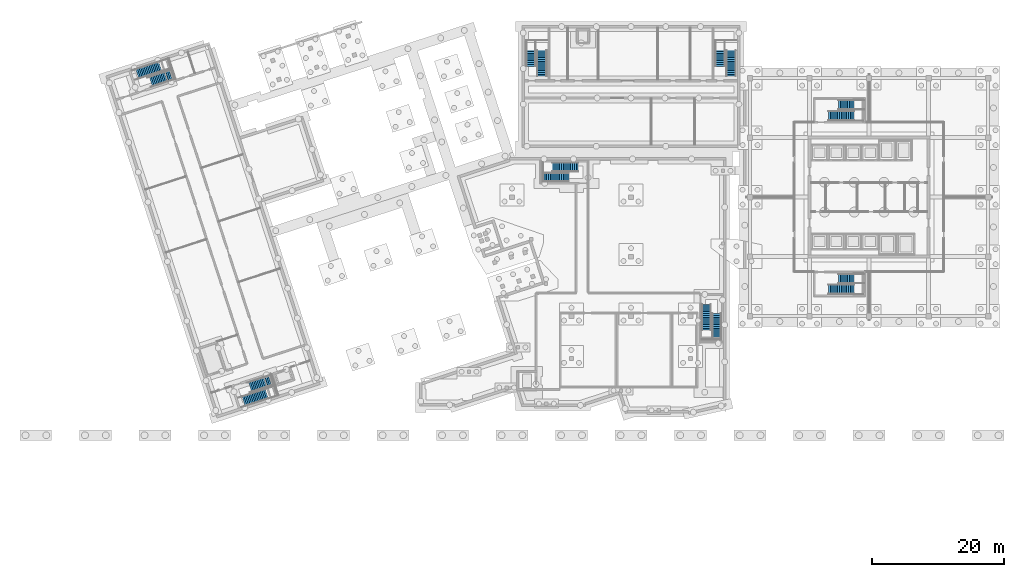
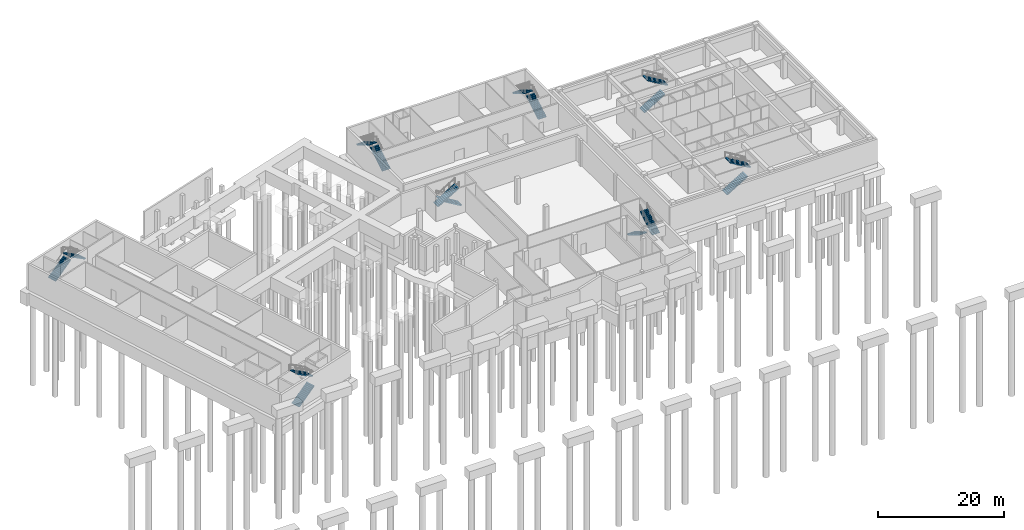
# One storey, part 14 of 17: 16 stair flights, 8 elements without a shape of their own.
"""IFC4 building model written with IfcOpenShell, lengths in metres."""

from ifc_helpers import new_model, si_unit, direction, frame, origin, place, context, subcontext, project, spatial, polyline, outline, extrude, material, type_object, element, aggregate, save


model = new_model("IFC4")

# Units and contexts
model_context = context("Model", 3, precision=1e-05, world=origin(), true_north=direction((0.0, 1.0)))
body_context = subcontext(model_context, "Body", "Model", "MODEL_VIEW")
ifc_project = project(units=[si_unit("LENGTHUNIT", "METRE"), si_unit("AREAUNIT", "SQUARE_METRE"), si_unit("VOLUMEUNIT", "CUBIC_METRE"), si_unit("PLANEANGLEUNIT", "RADIAN"), si_unit("MASSUNIT", "GRAM", prefix="KILO")], contexts=[model_context])

# Site, building, storey
site_placement = place(None, origin())
site = spatial("IfcSite", under=ifc_project, at=site_placement, CompositionType="ELEMENT")
building_placement = place(site_placement, origin())
building = spatial("IfcBuilding", under=site, at=building_placement, Name="Tuart Plaza Theatre", CompositionType="ELEMENT")
storey_placement = place(building_placement, frame((0.0, 0.0, -10.0)))
storey = spatial("IfcBuildingStorey", under=building, at=storey_placement, Name="B2", CompositionType="ELEMENT", Elevation=-10.0)

# Stair, stair flights
ifc_material_1 = material(Name="Concrete N40 (40 MPa)", Category="concrete")
stair_type_1 = type_object("IfcStairType", Name="STAIR half turn 1600", PredefinedType="HALF_TURN_STAIR", material=ifc_material_1)
stair_1_placement = place(storey_placement, origin())
stair_1 = element("IfcStair", 1, at=stair_1_placement, inside=storey, type_object=stair_type_1, Name="SA-1", PredefinedType="HALF_TURN_STAIR")
ifc_material_2 = material(Name="Concrete N40 (40 MPa)", Category="concrete")
stair_flight_type_1 = type_object("IfcStairFlightType", Name="STAIR FLIGHT 166.7 260 1600", PredefinedType="STRAIGHT", material=ifc_material_2)
stair_flight_1_placement = place(storey_placement, frame((37.430419921875, 43.14697265625, 0.0), z_axis=(0.0, 0.0, 1.0), x_axis=(0.951056516295, 0.309016994375, 0.0)))
stair_flight_1 = element("IfcStairFlight", 2, at=stair_flight_1_placement, type_object=stair_flight_type_1, Name="SA-1 flight 1", NumberOfRisers=15, NumberOfTreads=14, PredefinedType="STRAIGHT", RiserHeight=0.166666667, TreadLength=0.26, context=body_context, shape_type="SweptSolid", body=[
    extrude(outline(polyline([(0.0, 0.0), (0.0, 0.166748046875), (0.260009765625, 0.166748046875), (0.260009765625, 0.333251953125), (0.52001953125, 0.333251953125), (0.52001953125, 0.5), (0.780029296875, 0.5), (0.780029296875, 0.666748046875), (1.0400390625, 0.666748046875), (1.0400390625, 0.833251953125), (1.300048828125, 0.833251953125), (1.300048828125, 1.0), (1.56005859375, 1.0), (1.56005859375, 1.166748046875), (1.820068359375, 1.166748046875), (1.820068359375, 1.333251953125), (2.080078125, 1.333251953125), (2.080078125, 1.5), (2.340087890625, 1.5), (2.340087890625, 1.666748046875), (2.60009765625, 1.666748046875), (2.60009765625, 1.833251953125), (2.860107421875, 1.833251953125), (2.860107421875, 2.0), (3.1201171875, 2.0), (3.1201171875, 2.166748046875), (3.3798828125, 2.166748046875), (3.3798828125, 2.333251953125), (3.639892578125, 2.333251953125), (3.639892578125, 2.5), (3.639892578125, 2.1552734375), (0.27783203125, 0.0), (0.0, 0.0)])), frame((0.0, 0.800048828125, 0.0), z_axis=(0.0, -1.0, 0.0), x_axis=(1.0, 0.0, 0.0)), (0.0, 0.0, 1.0), 1.60009765625),
])
stair_flight_2_placement = place(storey_placement, frame((41.873046875, 46.430419921875, 2.5), z_axis=(0.0, 0.0, 1.0), x_axis=(-0.951056516295, -0.309016994375, 0.0)))
stair_flight_2 = element("IfcStairFlight", 3, at=stair_flight_2_placement, type_object=stair_flight_type_1, Name="SA-1 flight 2", NumberOfRisers=15, NumberOfTreads=14, PredefinedType="STRAIGHT", RiserHeight=0.166666667, TreadLength=0.26, context=body_context, shape_type="SweptSolid", body=[
    extrude(outline(polyline([(0.0, 0.0), (0.0, 0.166748046875), (0.260009765625, 0.166748046875), (0.260009765625, 0.333251953125), (0.52001953125, 0.333251953125), (0.52001953125, 0.5), (0.780029296875, 0.5), (0.780029296875, 0.666748046875), (1.0400390625, 0.666748046875), (1.0400390625, 0.833251953125), (1.300048828125, 0.833251953125), (1.300048828125, 1.0), (1.56005859375, 1.0), (1.56005859375, 1.166748046875), (1.820068359375, 1.166748046875), (1.820068359375, 1.333251953125), (2.080078125, 1.333251953125), (2.080078125, 1.5), (2.340087890625, 1.5), (2.340087890625, 1.666748046875), (2.60009765625, 1.666748046875), (2.60009765625, 1.833251953125), (2.860107421875, 1.833251953125), (2.860107421875, 2.0), (3.1201171875, 2.0), (3.1201171875, 2.166748046875), (3.3798828125, 2.166748046875), (3.3798828125, 2.333251953125), (3.639892578125, 2.333251953125), (3.639892578125, 2.5), (3.639892578125, 2.1552734375), (0.27783203125, 0.0), (0.0, 0.0)])), frame((0.0, 0.800048828125, 0.0), z_axis=(0.0, -1.0, 0.0), x_axis=(1.0, 0.0, 0.0)), (0.0, 0.0, 1.0), 1.60009765625),
])
aggregate(stair_1, [stair_flight_1, stair_flight_2])

stair_2_placement = place(storey_placement, origin())
stair_2 = element("IfcStair", 4, at=stair_2_placement, inside=storey, type_object=stair_type_1, Name="SA-2", PredefinedType="HALF_TURN_STAIR")
stair_flight_3_placement = place(storey_placement, frame((21.345947265625, 92.6494140625, 0.0), z_axis=(0.0, 0.0, 1.0), x_axis=(0.951056516295, 0.309016994375, 0.0)))
stair_flight_3 = element("IfcStairFlight", 5, at=stair_flight_3_placement, type_object=stair_flight_type_1, Name="SA-2 flight 1", NumberOfRisers=15, NumberOfTreads=14, PredefinedType="STRAIGHT", RiserHeight=0.166666667, TreadLength=0.26, context=body_context, shape_type="SweptSolid", body=[
    extrude(outline(polyline([(0.0, 0.0), (0.0, 0.166748046875), (0.260009765625, 0.166748046875), (0.260009765625, 0.333251953125), (0.52001953125, 0.333251953125), (0.52001953125, 0.5), (0.780029296875, 0.5), (0.780029296875, 0.666748046875), (1.0400390625, 0.666748046875), (1.0400390625, 0.833251953125), (1.300048828125, 0.833251953125), (1.300048828125, 1.0), (1.56005859375, 1.0), (1.56005859375, 1.166748046875), (1.820068359375, 1.166748046875), (1.820068359375, 1.333251953125), (2.080078125, 1.333251953125), (2.080078125, 1.5), (2.340087890625, 1.5), (2.340087890625, 1.666748046875), (2.60009765625, 1.666748046875), (2.60009765625, 1.833251953125), (2.860107421875, 1.833251953125), (2.860107421875, 2.0), (3.1201171875, 2.0), (3.1201171875, 2.166748046875), (3.3798828125, 2.166748046875), (3.3798828125, 2.333251953125), (3.639892578125, 2.333251953125), (3.639892578125, 2.5), (3.639892578125, 2.1552734375), (0.27783203125, 0.0), (0.0, 0.0)])), frame((0.0, 0.800048828125, 0.0), z_axis=(0.0, -1.0, 0.0), x_axis=(1.0, 0.0, 0.0)), (0.0, 0.0, 1.0), 1.60009765625),
])
stair_flight_4_placement = place(storey_placement, frame((26.870361328125, 92.604248046875, 2.5), z_axis=(0.0, 0.0, 1.0), x_axis=(-0.951056516295, -0.309016994375, 0.0)))
stair_flight_4 = element("IfcStairFlight", 6, at=stair_flight_4_placement, type_object=stair_flight_type_1, Name="SA-2 flight 2", NumberOfRisers=15, NumberOfTreads=14, PredefinedType="STRAIGHT", RiserHeight=0.166666667, TreadLength=0.26, context=body_context, shape_type="SweptSolid", body=[
    extrude(outline(polyline([(0.0, 0.0), (0.0, 0.166748046875), (0.260009765625, 0.166748046875), (0.260009765625, 0.333251953125), (0.52001953125, 0.333251953125), (0.52001953125, 0.5), (0.780029296875, 0.5), (0.780029296875, 0.666748046875), (1.0400390625, 0.666748046875), (1.0400390625, 0.833251953125), (1.300048828125, 0.833251953125), (1.300048828125, 1.0), (1.56005859375, 1.0), (1.56005859375, 1.166748046875), (1.820068359375, 1.166748046875), (1.820068359375, 1.333251953125), (2.080078125, 1.333251953125), (2.080078125, 1.5), (2.340087890625, 1.5), (2.340087890625, 1.666748046875), (2.60009765625, 1.666748046875), (2.60009765625, 1.833251953125), (2.860107421875, 1.833251953125), (2.860107421875, 2.0), (3.1201171875, 2.0), (3.1201171875, 2.166748046875), (3.3798828125, 2.166748046875), (3.3798828125, 2.333251953125), (3.639892578125, 2.333251953125), (3.639892578125, 2.5), (3.639892578125, 2.1552734375), (0.27783203125, 0.0), (0.0, 0.0)])), frame((0.0, 0.800048828125, 0.0), z_axis=(0.0, -1.0, 0.0), x_axis=(1.0, 0.0, 0.0)), (0.0, 0.0, 1.0), 1.60009765625),
])
aggregate(stair_2, [stair_flight_3, stair_flight_4])

ifc_material_3 = material(Name="Concrete N40 (40 MPa)", Category="concrete")
stair_type_2 = type_object("IfcStairType", Name="STAIR half turn 1500", PredefinedType="HALF_TURN_STAIR", material=ifc_material_3)
stair_3_placement = place(storey_placement, origin())
stair_3 = element("IfcStair", 7, at=stair_3_placement, inside=storey, type_object=stair_type_2, Name="SC-19", PredefinedType="HALF_TURN_STAIR")
ifc_material_4 = material(Name="Concrete N40 (40 MPa)", Category="concrete")
stair_flight_type_2 = type_object("IfcStairFlightType", Name="STAIR FLIGHT 166.7 275 1500", PredefinedType="STRAIGHT", material=ifc_material_4)
stair_flight_5_placement = place(storey_placement, frame((125.8701171875, 60.050048828125, 0.0), z_axis=(0.0, 0.0, 1.0), x_axis=(1.0, 0.0, 0.0)))
stair_flight_5 = element("IfcStairFlight", 8, at=stair_flight_5_placement, type_object=stair_flight_type_2, Name="SC-19 flight 1", NumberOfRisers=15, NumberOfTreads=14, PredefinedType="STRAIGHT", RiserHeight=0.166666667, TreadLength=0.275, context=body_context, shape_type="SweptSolid", body=[
    extrude(outline(polyline([(0.0, 0.0), (0.0, 0.166748046875), (0.27490234375, 0.166748046875), (0.27490234375, 0.333251953125), (0.550048828125, 0.333251953125), (0.550048828125, 0.5), (0.824951171875, 0.5), (0.824951171875, 0.666748046875), (1.10009765625, 0.666748046875), (1.10009765625, 0.833251953125), (1.375, 0.833251953125), (1.375, 1.0), (1.64990234375, 1.0), (1.64990234375, 1.166748046875), (1.925048828125, 1.166748046875), (1.925048828125, 1.333251953125), (2.199951171875, 1.333251953125), (2.199951171875, 1.5), (2.47509765625, 1.5), (2.47509765625, 1.666748046875), (2.75, 1.666748046875), (2.75, 1.833251953125), (3.02490234375, 1.833251953125), (3.02490234375, 2.0), (3.300048828125, 2.0), (3.300048828125, 2.166748046875), (3.574951171875, 2.166748046875), (3.574951171875, 2.333251953125), (3.85009765625, 2.333251953125), (3.85009765625, 2.5), (3.85009765625, 2.157958984375), (0.289306640625, 0.0), (0.0, 0.0)])), frame((0.0, 0.75, 0.0), z_axis=(0.0, -1.0, 0.0), x_axis=(1.0, 0.0, 0.0)), (0.0, 0.0, 1.0), 1.5),
])
stair_flight_6_placement = place(storey_placement, frame((131.219970703125, 61.699951171875, 2.5), z_axis=(0.0, 0.0, 1.0), x_axis=(-1.0, 0.0, 0.0)))
stair_flight_6 = element("IfcStairFlight", 9, at=stair_flight_6_placement, type_object=stair_flight_type_2, Name="SC-19 flight 2", NumberOfRisers=15, NumberOfTreads=14, PredefinedType="STRAIGHT", RiserHeight=0.166666667, TreadLength=0.275, context=body_context, shape_type="SweptSolid", body=[
    extrude(outline(polyline([(0.0, 0.0), (0.0, 0.166748046875), (0.27490234375, 0.166748046875), (0.27490234375, 0.333251953125), (0.550048828125, 0.333251953125), (0.550048828125, 0.5), (0.824951171875, 0.5), (0.824951171875, 0.666748046875), (1.10009765625, 0.666748046875), (1.10009765625, 0.833251953125), (1.375, 0.833251953125), (1.375, 1.0), (1.64990234375, 1.0), (1.64990234375, 1.166748046875), (1.925048828125, 1.166748046875), (1.925048828125, 1.333251953125), (2.199951171875, 1.333251953125), (2.199951171875, 1.5), (2.47509765625, 1.5), (2.47509765625, 1.666748046875), (2.75, 1.666748046875), (2.75, 1.833251953125), (3.02490234375, 1.833251953125), (3.02490234375, 2.0), (3.300048828125, 2.0), (3.300048828125, 2.166748046875), (3.574951171875, 2.166748046875), (3.574951171875, 2.333251953125), (3.85009765625, 2.333251953125), (3.85009765625, 2.5), (3.85009765625, 2.157958984375), (0.289306640625, 0.0), (0.0, 0.0)])), frame((0.0, 0.75, 0.0), z_axis=(0.0, -1.0, 0.0), x_axis=(1.0, 0.0, 0.0)), (0.0, 0.0, 1.0), 1.5),
])
aggregate(stair_3, [stair_flight_5, stair_flight_6])

stair_4_placement = place(storey_placement, origin())
stair_4 = element("IfcStair", 10, at=stair_4_placement, inside=storey, type_object=stair_type_2, Name="SC-21", PredefinedType="HALF_TURN_STAIR")
stair_flight_7_placement = place(storey_placement, frame((125.8701171875, 86.300048828125, 0.0), z_axis=(0.0, 0.0, 1.0), x_axis=(1.0, 0.0, 0.0)))
stair_flight_7 = element("IfcStairFlight", 11, at=stair_flight_7_placement, type_object=stair_flight_type_2, Name="SC-21 flight 1", NumberOfRisers=15, NumberOfTreads=14, PredefinedType="STRAIGHT", RiserHeight=0.166666667, TreadLength=0.275, context=body_context, shape_type="SweptSolid", body=[
    extrude(outline(polyline([(0.0, 0.0), (0.0, 0.166748046875), (0.27490234375, 0.166748046875), (0.27490234375, 0.333251953125), (0.550048828125, 0.333251953125), (0.550048828125, 0.5), (0.824951171875, 0.5), (0.824951171875, 0.666748046875), (1.10009765625, 0.666748046875), (1.10009765625, 0.833251953125), (1.375, 0.833251953125), (1.375, 1.0), (1.64990234375, 1.0), (1.64990234375, 1.166748046875), (1.925048828125, 1.166748046875), (1.925048828125, 1.333251953125), (2.199951171875, 1.333251953125), (2.199951171875, 1.5), (2.47509765625, 1.5), (2.47509765625, 1.666748046875), (2.75, 1.666748046875), (2.75, 1.833251953125), (3.02490234375, 1.833251953125), (3.02490234375, 2.0), (3.300048828125, 2.0), (3.300048828125, 2.166748046875), (3.574951171875, 2.166748046875), (3.574951171875, 2.333251953125), (3.85009765625, 2.333251953125), (3.85009765625, 2.5), (3.85009765625, 2.157958984375), (0.289306640625, 0.0), (0.0, 0.0)])), frame((0.0, 0.75, 0.0), z_axis=(0.0, -1.0, 0.0), x_axis=(1.0, 0.0, 0.0)), (0.0, 0.0, 1.0), 1.5),
])
stair_flight_8_placement = place(storey_placement, frame((131.219970703125, 87.949951171875, 2.5), z_axis=(0.0, 0.0, 1.0), x_axis=(-1.0, 0.0, 0.0)))
stair_flight_8 = element("IfcStairFlight", 12, at=stair_flight_8_placement, type_object=stair_flight_type_2, Name="SC-21 flight 2", NumberOfRisers=15, NumberOfTreads=14, PredefinedType="STRAIGHT", RiserHeight=0.166666667, TreadLength=0.275, context=body_context, shape_type="SweptSolid", body=[
    extrude(outline(polyline([(0.0, 0.0), (0.0, 0.166748046875), (0.27490234375, 0.166748046875), (0.27490234375, 0.333251953125), (0.550048828125, 0.333251953125), (0.550048828125, 0.5), (0.824951171875, 0.5), (0.824951171875, 0.666748046875), (1.10009765625, 0.666748046875), (1.10009765625, 0.833251953125), (1.375, 0.833251953125), (1.375, 1.0), (1.64990234375, 1.0), (1.64990234375, 1.166748046875), (1.925048828125, 1.166748046875), (1.925048828125, 1.333251953125), (2.199951171875, 1.333251953125), (2.199951171875, 1.5), (2.47509765625, 1.5), (2.47509765625, 1.666748046875), (2.75, 1.666748046875), (2.75, 1.833251953125), (3.02490234375, 1.833251953125), (3.02490234375, 2.0), (3.300048828125, 2.0), (3.300048828125, 2.166748046875), (3.574951171875, 2.166748046875), (3.574951171875, 2.333251953125), (3.85009765625, 2.333251953125), (3.85009765625, 2.5), (3.85009765625, 2.157958984375), (0.289306640625, 0.0), (0.0, 0.0)])), frame((0.0, 0.75, 0.0), z_axis=(0.0, -1.0, 0.0), x_axis=(1.0, 0.0, 0.0)), (0.0, 0.0, 1.0), 1.5),
])
aggregate(stair_4, [stair_flight_7, stair_flight_8])

ifc_material_5 = material(Name="Concrete N40 (40 MPa)", Category="concrete")
stair_type_3 = type_object("IfcStairType", Name="STAIR half turn 1400", PredefinedType="HALF_TURN_STAIR", material=ifc_material_5)
stair_5_placement = place(storey_placement, origin())
stair_5 = element("IfcStair", 13, at=stair_5_placement, inside=storey, type_object=stair_type_3, Name="SB-11", PredefinedType="HALF_TURN_STAIR")
ifc_material_6 = material(Name="Concrete N40 (40 MPa)", Category="concrete")
stair_flight_type_3 = type_object("IfcStairFlightType", Name="STAIR FLIGHT 166.7 280 1400", PredefinedType="STRAIGHT", material=ifc_material_6)
stair_flight_9_placement = place(storey_placement, frame((107.39990234375, 57.800048828125, 0.0), z_axis=(0.0, 0.0, 1.0), x_axis=(0.0, -1.0, 0.0)))
stair_flight_9 = element("IfcStairFlight", 14, at=stair_flight_9_placement, type_object=stair_flight_type_3, Name="SB-11 flight 1", NumberOfRisers=15, NumberOfTreads=14, PredefinedType="STRAIGHT", RiserHeight=0.166666667, TreadLength=0.28, context=body_context, shape_type="SweptSolid", body=[
    extrude(outline(polyline([(0.0, 0.0), (0.0, 0.166748046875), (0.280029296875, 0.166748046875), (0.280029296875, 0.333251953125), (0.56005859375, 0.333251953125), (0.56005859375, 0.5), (0.840087890625, 0.5), (0.840087890625, 0.666748046875), (1.1201171875, 0.666748046875), (1.1201171875, 0.833251953125), (1.39990234375, 0.833251953125), (1.39990234375, 1.0), (1.679931640625, 1.0), (1.679931640625, 1.166748046875), (1.9599609375, 1.166748046875), (1.9599609375, 1.333251953125), (2.239990234375, 1.333251953125), (2.239990234375, 1.5), (2.52001953125, 1.5), (2.52001953125, 1.666748046875), (2.800048828125, 1.666748046875), (2.800048828125, 1.833251953125), (3.080078125, 1.833251953125), (3.080078125, 2.0), (3.360107421875, 2.0), (3.360107421875, 2.166748046875), (3.639892578125, 2.166748046875), (3.639892578125, 2.333251953125), (3.919921875, 2.333251953125), (3.919921875, 2.5), (3.919921875, 2.158935546875), (0.29296875, 0.0), (0.0, 0.0)])), frame((0.0, 0.699951171875, 0.0), z_axis=(0.0, -1.0, 0.0), x_axis=(1.0, 0.0, 0.0)), (0.0, 0.0, 1.0), 1.39990234375),
])
stair_flight_10_placement = place(storey_placement, frame((108.949951171875, 52.47998046875, 2.5), z_axis=(0.0, 0.0, 1.0), x_axis=(0.0, 1.0, 0.0)))
stair_flight_10 = element("IfcStairFlight", 15, at=stair_flight_10_placement, type_object=stair_flight_type_3, Name="SB-11 flight 2", NumberOfRisers=15, NumberOfTreads=14, PredefinedType="STRAIGHT", RiserHeight=0.166666667, TreadLength=0.28, context=body_context, shape_type="SweptSolid", body=[
    extrude(outline(polyline([(0.0, 0.0), (0.0, 0.166748046875), (0.280029296875, 0.166748046875), (0.280029296875, 0.333251953125), (0.56005859375, 0.333251953125), (0.56005859375, 0.5), (0.840087890625, 0.5), (0.840087890625, 0.666748046875), (1.1201171875, 0.666748046875), (1.1201171875, 0.833251953125), (1.39990234375, 0.833251953125), (1.39990234375, 1.0), (1.679931640625, 1.0), (1.679931640625, 1.166748046875), (1.9599609375, 1.166748046875), (1.9599609375, 1.333251953125), (2.239990234375, 1.333251953125), (2.239990234375, 1.5), (2.52001953125, 1.5), (2.52001953125, 1.666748046875), (2.800048828125, 1.666748046875), (2.800048828125, 1.833251953125), (3.080078125, 1.833251953125), (3.080078125, 2.0), (3.360107421875, 2.0), (3.360107421875, 2.166748046875), (3.639892578125, 2.166748046875), (3.639892578125, 2.333251953125), (3.919921875, 2.333251953125), (3.919921875, 2.5), (3.919921875, 2.158935546875), (0.29296875, 0.0), (0.0, 0.0)])), frame((0.0, 0.699951171875, 0.0), z_axis=(0.0, -1.0, 0.0), x_axis=(1.0, 0.0, 0.0)), (0.0, 0.0, 1.0), 1.39990234375),
])
aggregate(stair_5, [stair_flight_9, stair_flight_10])

stair_6_placement = place(storey_placement, origin())
stair_6 = element("IfcStair", 16, at=stair_6_placement, inside=storey, type_object=stair_type_3, Name="SB-13", PredefinedType="HALF_TURN_STAIR")
stair_flight_11_placement = place(storey_placement, frame((88.0, 78.550048828125, 0.0), z_axis=(0.0, 0.0, 1.0), x_axis=(-1.0, 0.0, 0.0)))
stair_flight_11 = element("IfcStairFlight", 17, at=stair_flight_11_placement, type_object=stair_flight_type_3, Name="SB-13 flight 1", NumberOfRisers=15, NumberOfTreads=14, PredefinedType="STRAIGHT", RiserHeight=0.166666667, TreadLength=0.28, context=body_context, shape_type="SweptSolid", body=[
    extrude(outline(polyline([(0.0, 0.0), (0.0, 0.166748046875), (0.280029296875, 0.166748046875), (0.280029296875, 0.333251953125), (0.56005859375, 0.333251953125), (0.56005859375, 0.5), (0.840087890625, 0.5), (0.840087890625, 0.666748046875), (1.1201171875, 0.666748046875), (1.1201171875, 0.833251953125), (1.39990234375, 0.833251953125), (1.39990234375, 1.0), (1.679931640625, 1.0), (1.679931640625, 1.166748046875), (1.9599609375, 1.166748046875), (1.9599609375, 1.333251953125), (2.239990234375, 1.333251953125), (2.239990234375, 1.5), (2.52001953125, 1.5), (2.52001953125, 1.666748046875), (2.800048828125, 1.666748046875), (2.800048828125, 1.833251953125), (3.080078125, 1.833251953125), (3.080078125, 2.0), (3.360107421875, 2.0), (3.360107421875, 2.166748046875), (3.639892578125, 2.166748046875), (3.639892578125, 2.333251953125), (3.919921875, 2.333251953125), (3.919921875, 2.5), (3.919921875, 2.158935546875), (0.29296875, 0.0), (0.0, 0.0)])), frame((0.0, 0.699951171875, 0.0), z_axis=(0.0, -1.0, 0.0), x_axis=(1.0, 0.0, 0.0)), (0.0, 0.0, 1.0), 1.39990234375),
])
stair_flight_12_placement = place(storey_placement, frame((82.679931640625, 77.0, 2.5), z_axis=(0.0, 0.0, 1.0), x_axis=(1.0, 0.0, 0.0)))
stair_flight_12 = element("IfcStairFlight", 18, at=stair_flight_12_placement, type_object=stair_flight_type_3, Name="SB-13 flight 2", NumberOfRisers=15, NumberOfTreads=14, PredefinedType="STRAIGHT", RiserHeight=0.166666667, TreadLength=0.28, context=body_context, shape_type="SweptSolid", body=[
    extrude(outline(polyline([(0.0, 0.0), (0.0, 0.166748046875), (0.280029296875, 0.166748046875), (0.280029296875, 0.333251953125), (0.56005859375, 0.333251953125), (0.56005859375, 0.5), (0.840087890625, 0.5), (0.840087890625, 0.666748046875), (1.1201171875, 0.666748046875), (1.1201171875, 0.833251953125), (1.39990234375, 0.833251953125), (1.39990234375, 1.0), (1.679931640625, 1.0), (1.679931640625, 1.166748046875), (1.9599609375, 1.166748046875), (1.9599609375, 1.333251953125), (2.239990234375, 1.333251953125), (2.239990234375, 1.5), (2.52001953125, 1.5), (2.52001953125, 1.666748046875), (2.800048828125, 1.666748046875), (2.800048828125, 1.833251953125), (3.080078125, 1.833251953125), (3.080078125, 2.0), (3.360107421875, 2.0), (3.360107421875, 2.166748046875), (3.639892578125, 2.166748046875), (3.639892578125, 2.333251953125), (3.919921875, 2.333251953125), (3.919921875, 2.5), (3.919921875, 2.158935546875), (0.29296875, 0.0), (0.0, 0.0)])), frame((0.0, 0.699951171875, 0.0), z_axis=(0.0, -1.0, 0.0), x_axis=(1.0, 0.0, 0.0)), (0.0, 0.0, 1.0), 1.39990234375),
])
aggregate(stair_6, [stair_flight_11, stair_flight_12])

stair_7_placement = place(storey_placement, origin())
stair_7 = element("IfcStair", 19, at=stair_7_placement, inside=storey, type_object=stair_type_2, Name="SD-1", PredefinedType="HALF_TURN_STAIR")
ifc_material_7 = material(Name="Concrete N40 (40 MPa)", Category="concrete")
stair_flight_type_4 = type_object("IfcStairFlightType", Name="STAIR FLIGHT 166.7 280 1500", PredefinedType="STRAIGHT", material=ifc_material_7)
stair_flight_13_placement = place(storey_placement, frame((82.52490234375, 92.300048828125, 0.0), z_axis=(0.0, 0.0, 1.0), x_axis=(0.0, 1.0, 0.0)))
stair_flight_13 = element("IfcStairFlight", 20, at=stair_flight_13_placement, type_object=stair_flight_type_4, Name="SD-1 flight 1", NumberOfRisers=15, NumberOfTreads=14, PredefinedType="STRAIGHT", RiserHeight=0.166666667, TreadLength=0.28, context=body_context, shape_type="SweptSolid", body=[
    extrude(outline(polyline([(0.0, 0.0), (0.0, 0.166748046875), (0.280029296875, 0.166748046875), (0.280029296875, 0.333251953125), (0.56005859375, 0.333251953125), (0.56005859375, 0.5), (0.840087890625, 0.5), (0.840087890625, 0.666748046875), (1.1201171875, 0.666748046875), (1.1201171875, 0.833251953125), (1.39990234375, 0.833251953125), (1.39990234375, 1.0), (1.679931640625, 1.0), (1.679931640625, 1.166748046875), (1.9599609375, 1.166748046875), (1.9599609375, 1.333251953125), (2.239990234375, 1.333251953125), (2.239990234375, 1.5), (2.52001953125, 1.5), (2.52001953125, 1.666748046875), (2.800048828125, 1.666748046875), (2.800048828125, 1.833251953125), (3.080078125, 1.833251953125), (3.080078125, 2.0), (3.360107421875, 2.0), (3.360107421875, 2.166748046875), (3.639892578125, 2.166748046875), (3.639892578125, 2.333251953125), (3.919921875, 2.333251953125), (3.919921875, 2.5), (3.919921875, 2.158935546875), (0.29296875, 0.0), (0.0, 0.0)])), frame((0.0, 0.75, 0.0), z_axis=(0.0, -1.0, 0.0), x_axis=(1.0, 0.0, 0.0)), (0.0, 0.0, 1.0), 1.5),
])
stair_flight_14_placement = place(storey_placement, frame((80.875, 97.719970703125, 2.5), z_axis=(0.0, 0.0, 1.0), x_axis=(0.0, -1.0, 0.0)))
stair_flight_14 = element("IfcStairFlight", 21, at=stair_flight_14_placement, type_object=stair_flight_type_4, Name="SD-1 flight 2", NumberOfRisers=15, NumberOfTreads=14, PredefinedType="STRAIGHT", RiserHeight=0.166666667, TreadLength=0.28, context=body_context, shape_type="SweptSolid", body=[
    extrude(outline(polyline([(0.0, 0.0), (0.0, 0.166748046875), (0.280029296875, 0.166748046875), (0.280029296875, 0.333251953125), (0.56005859375, 0.333251953125), (0.56005859375, 0.5), (0.840087890625, 0.5), (0.840087890625, 0.666748046875), (1.1201171875, 0.666748046875), (1.1201171875, 0.833251953125), (1.39990234375, 0.833251953125), (1.39990234375, 1.0), (1.679931640625, 1.0), (1.679931640625, 1.166748046875), (1.9599609375, 1.166748046875), (1.9599609375, 1.333251953125), (2.239990234375, 1.333251953125), (2.239990234375, 1.5), (2.52001953125, 1.5), (2.52001953125, 1.666748046875), (2.800048828125, 1.666748046875), (2.800048828125, 1.833251953125), (3.080078125, 1.833251953125), (3.080078125, 2.0), (3.360107421875, 2.0), (3.360107421875, 2.166748046875), (3.639892578125, 2.166748046875), (3.639892578125, 2.333251953125), (3.919921875, 2.333251953125), (3.919921875, 2.5), (3.919921875, 2.158935546875), (0.29296875, 0.0), (0.0, 0.0)])), frame((0.0, 0.75, 0.0), z_axis=(0.0, -1.0, 0.0), x_axis=(1.0, 0.0, 0.0)), (0.0, 0.0, 1.0), 1.5),
])
aggregate(stair_7, [stair_flight_13, stair_flight_14])

stair_8_placement = place(storey_placement, origin())
stair_8 = element("IfcStair", 22, at=stair_8_placement, inside=storey, type_object=stair_type_2, Name="SD-2", PredefinedType="HALF_TURN_STAIR")
stair_flight_15_placement = place(storey_placement, frame((111.125, 92.300048828125, 0.0), z_axis=(0.0, 0.0, 1.0), x_axis=(0.0, 1.0, 0.0)))
stair_flight_15 = element("IfcStairFlight", 23, at=stair_flight_15_placement, type_object=stair_flight_type_4, Name="SD-2 flight 1", NumberOfRisers=15, NumberOfTreads=14, PredefinedType="STRAIGHT", RiserHeight=0.166666667, TreadLength=0.28, context=body_context, shape_type="SweptSolid", body=[
    extrude(outline(polyline([(0.0, 0.0), (0.0, 0.166748046875), (0.280029296875, 0.166748046875), (0.280029296875, 0.333251953125), (0.56005859375, 0.333251953125), (0.56005859375, 0.5), (0.840087890625, 0.5), (0.840087890625, 0.666748046875), (1.1201171875, 0.666748046875), (1.1201171875, 0.833251953125), (1.39990234375, 0.833251953125), (1.39990234375, 1.0), (1.679931640625, 1.0), (1.679931640625, 1.166748046875), (1.9599609375, 1.166748046875), (1.9599609375, 1.333251953125), (2.239990234375, 1.333251953125), (2.239990234375, 1.5), (2.52001953125, 1.5), (2.52001953125, 1.666748046875), (2.800048828125, 1.666748046875), (2.800048828125, 1.833251953125), (3.080078125, 1.833251953125), (3.080078125, 2.0), (3.360107421875, 2.0), (3.360107421875, 2.166748046875), (3.639892578125, 2.166748046875), (3.639892578125, 2.333251953125), (3.919921875, 2.333251953125), (3.919921875, 2.5), (3.919921875, 2.158935546875), (0.29296875, 0.0), (0.0, 0.0)])), frame((0.0, 0.75, 0.0), z_axis=(0.0, -1.0, 0.0), x_axis=(1.0, 0.0, 0.0)), (0.0, 0.0, 1.0), 1.5),
])
stair_flight_16_placement = place(storey_placement, frame((109.47509765625, 97.719970703125, 2.5), z_axis=(0.0, 0.0, 1.0), x_axis=(0.0, -1.0, 0.0)))
stair_flight_16 = element("IfcStairFlight", 24, at=stair_flight_16_placement, type_object=stair_flight_type_4, Name="SD-2 flight 2", NumberOfRisers=15, NumberOfTreads=14, PredefinedType="STRAIGHT", RiserHeight=0.166666667, TreadLength=0.28, context=body_context, shape_type="SweptSolid", body=[
    extrude(outline(polyline([(0.0, 0.0), (0.0, 0.166748046875), (0.280029296875, 0.166748046875), (0.280029296875, 0.333251953125), (0.56005859375, 0.333251953125), (0.56005859375, 0.5), (0.840087890625, 0.5), (0.840087890625, 0.666748046875), (1.1201171875, 0.666748046875), (1.1201171875, 0.833251953125), (1.39990234375, 0.833251953125), (1.39990234375, 1.0), (1.679931640625, 1.0), (1.679931640625, 1.166748046875), (1.9599609375, 1.166748046875), (1.9599609375, 1.333251953125), (2.239990234375, 1.333251953125), (2.239990234375, 1.5), (2.52001953125, 1.5), (2.52001953125, 1.666748046875), (2.800048828125, 1.666748046875), (2.800048828125, 1.833251953125), (3.080078125, 1.833251953125), (3.080078125, 2.0), (3.360107421875, 2.0), (3.360107421875, 2.166748046875), (3.639892578125, 2.166748046875), (3.639892578125, 2.333251953125), (3.919921875, 2.333251953125), (3.919921875, 2.5), (3.919921875, 2.158935546875), (0.29296875, 0.0), (0.0, 0.0)])), frame((0.0, 0.75, 0.0), z_axis=(0.0, -1.0, 0.0), x_axis=(1.0, 0.0, 0.0)), (0.0, 0.0, 1.0), 1.5),
])
aggregate(stair_8, [stair_flight_15, stair_flight_16])

save(model, "model.ifc")
